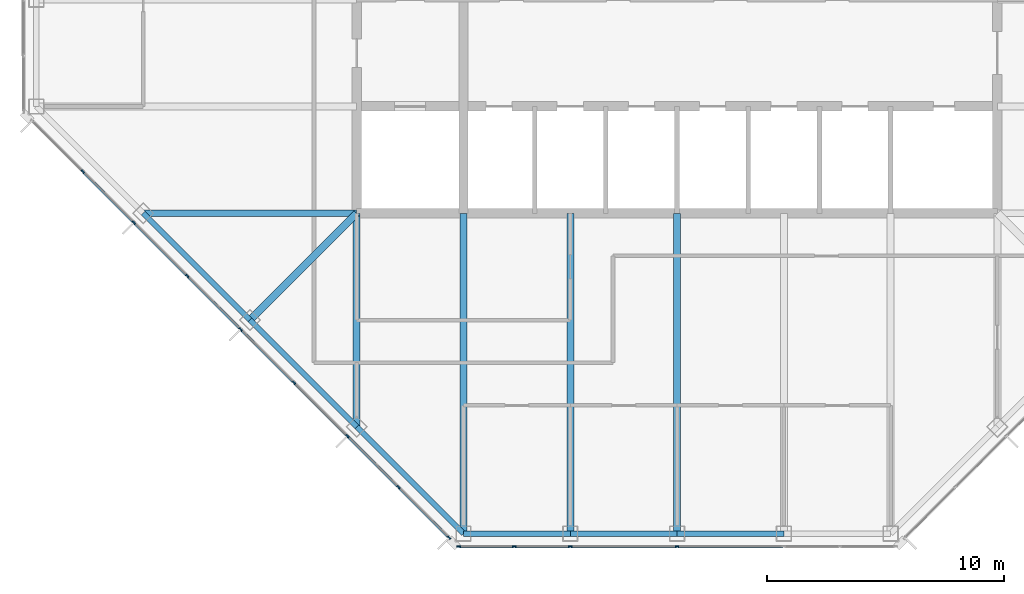
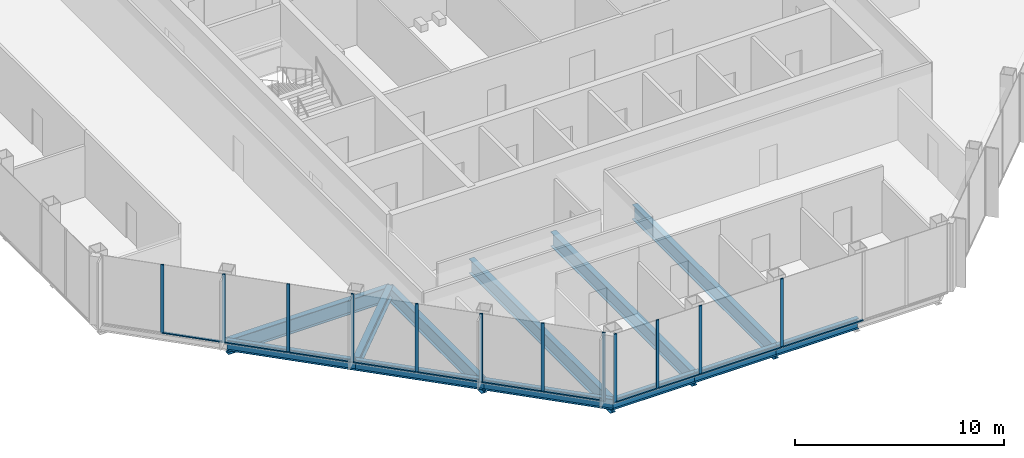
# One storey, part 2 of 13: 23 members, 12 beams, 2 elements without a shape of their own.
"""IFC4 building model written with IfcOpenShell, lengths in metres."""

from ifc_helpers import new_model, si_unit, direction, frame, origin, origin_2d, place, context, subcontext, project, spatial, rectangle, i_section, extrude, material, material_profile, profile_set, type_object, element, aggregate, save


model = new_model("IFC4")

# Units and contexts
model_context = context("Model", 3, precision=1e-05, world=origin(), true_north=direction((0.0, 1.0)))
body_context = subcontext(model_context, "Body", "Model", "MODEL_VIEW")
ifc_project = project(units=[si_unit("LENGTHUNIT", "METRE"), si_unit("AREAUNIT", "SQUARE_METRE"), si_unit("VOLUMEUNIT", "CUBIC_METRE"), si_unit("PLANEANGLEUNIT", "RADIAN"), si_unit("MASSUNIT", "GRAM", prefix="KILO")], contexts=[model_context])

# Site, building, storey
site_placement = place(None, origin())
site = spatial("IfcSite", under=ifc_project, at=site_placement, CompositionType="ELEMENT")
building_placement = place(site_placement, origin())
building = spatial("IfcBuilding", under=site, at=building_placement, Name="Corais Broadcast Tower", CompositionType="ELEMENT")
storey_placement = place(building_placement, frame((0.0, 0.0, 222.60009765625)))
storey = spatial("IfcBuildingStorey", under=building, at=storey_placement, Name="L51", CompositionType="ELEMENT", Elevation=222.60009765625)

# Beams
ifc_material_1 = material(Name="Steel ASTM A572 Grade 50", Category="steel")
ifc_material_profile_1 = material_profile(ifc_material_1, i_section(OverallWidth=0.323974609375, OverallDepth=0.611083984375, WebThickness=0.0126953125, FlangeThickness=0.01904296875, at=origin_2d()), Name="W610x155")
ifc_profile_set_1 = profile_set([ifc_material_profile_1], Name="Steel ASTM A572 Grade 50")
beam_type_1 = type_object("IfcBeamType", Name="Corner diagonal W610x155", PredefinedType="BEAM", material=ifc_profile_set_1)
beam_1_placement = place(storey_placement, frame((9.0, 9.0, -0.465576171875), z_axis=(0.707106781187, 0.707106781187, 0.0), x_axis=(-0.707106781187, 0.707106781187, 0.0)))
element("IfcBeam", 1, at=beam_1_placement, inside=storey, type_object=beam_type_1, Name="B6 C/5 to D/6", PredefinedType="BEAM", context=body_context, shape_type="SweptSolid", body=[
    extrude(i_section(OverallWidth=0.323974609375, OverallDepth=0.611083984375, WebThickness=0.0126953125, FlangeThickness=0.01904296875, at=origin_2d()), origin(), (0.0, 0.0, 1.0), 6.364013671875),
])
ifc_material_2 = material(Name="Steel ASTM A572 Grade 50", Category="steel")
ifc_material_profile_2 = material_profile(ifc_material_2, i_section(OverallWidth=0.2939453125, OverallDepth=0.85107421875, WebThickness=0.01611328125, FlangeThickness=0.02685546875, at=origin_2d()), Name="W840x226")
ifc_profile_set_2 = profile_set([ifc_material_profile_2], Name="Steel ASTM A572 Grade 50")
beam_type_2 = type_object("IfcBeamType", Name="Floor beam W840x226", PredefinedType="BEAM", material=ifc_profile_set_2)
beam_2_placement = place(storey_placement, frame((13.5, 4.5, -0.585693359375), z_axis=(0.0, 1.0, 0.0), x_axis=(-1.0, 0.0, 0.0)))
element("IfcBeam", 2, at=beam_2_placement, inside=storey, type_object=beam_type_2, Name="B1 B/6 to D/6", PredefinedType="BEAM", context=body_context, shape_type="SweptSolid", body=[
    extrude(i_section(OverallWidth=0.2939453125, OverallDepth=0.85107421875, WebThickness=0.01611328125, FlangeThickness=0.02685546875, at=origin_2d()), origin(), (0.0, 0.0, 1.0), 9.0),
])
for number, where, z_axis, x_axis, name in (
    (3, (18.0, 0.0, -0.585693359375), (0.0, 1.0, 0.0), (-1.0, 0.0, 0.0), "B1 A/7 to D/7"),
    (4, (22.5, 0.0, -0.585693359375), (0.0, 1.0, 0.0), (-1.0, 0.0, 0.0), "B1 A/8 to D/8"),
    (5, (27.0, 0.0, -0.585693359375), (0.0, 1.0, 0.0), (-1.0, 0.0, 0.0), "B1 A/9 to D/9"),
):
    element("IfcBeam", number, at=place(storey_placement, frame(where, z_axis=z_axis, x_axis=x_axis)), inside=storey, type_object=beam_type_2, Name=name, PredefinedType="BEAM", context=body_context, shape_type="SweptSolid", body=[
        extrude(i_section(OverallWidth=0.2939453125, OverallDepth=0.85107421875, WebThickness=0.01611328125, FlangeThickness=0.02685546875, at=origin_2d()), origin(), (0.0, 0.0, 1.0), 13.5),
    ])
beam_3_placement = place(storey_placement, frame((4.5, 13.5, -0.585693359375), z_axis=(1.0, 0.0, 0.0), x_axis=(0.0, 1.0, 0.0)))
element("IfcBeam", 6, at=beam_3_placement, inside=storey, type_object=beam_type_2, Name="B1 D/4 to D/6", PredefinedType="BEAM", context=body_context, shape_type="SweptSolid", body=[
    extrude(i_section(OverallWidth=0.2939453125, OverallDepth=0.85107421875, WebThickness=0.01611328125, FlangeThickness=0.02685546875, at=origin_2d()), origin(), (0.0, 0.0, 1.0), 9.0),
])

# Curtain wall, members
ifc_material_3 = material(Name="Aluminium and glass", Category="aluminium")
curtain_wall_type = type_object("IfcCurtainWallType", Name="Unitised fritted curtain wall CW3", PredefinedType="NOTDEFINED", material=ifc_material_3)
curtain_wall_1_placement = place(storey_placement, origin())
curtain_wall_1 = element("IfcCurtainWall", 7, at=curtain_wall_1_placement, inside=storey, type_object=curtain_wall_type, Name="CW3 curtain wall L51 1", PredefinedType="NOTDEFINED")
ifc_material_4 = material(Name="Aluminium 6063-T6", Category="aluminium")
ifc_material_profile_3 = material_profile(ifc_material_4, rectangle(XDim=0.06494140625, YDim=0.159912109375, at=origin_2d()), Name="Mullion CW3 65x160")
ifc_profile_set_3 = profile_set([ifc_material_profile_3], Name="Aluminium 6063-T6")
member_type_1 = type_object("IfcMemberType", Name="Mullion CW3 65x160", PredefinedType="MULLION", material=ifc_profile_set_3)
member_1_placement = place(storey_placement, frame((17.3955078125, -0.17333984375, 0.0), z_axis=(0.0, 0.0, 1.0), x_axis=(-0.707106781187, -0.707106781187, 0.0)))
member_1 = element("IfcMember", 8, at=member_1_placement, type_object=member_type_1, Name="CW3 mullion 1", PredefinedType="MULLION", context=body_context, shape_type="SweptSolid", body=[
    extrude(rectangle(XDim=0.06494140625, YDim=0.159912109375, at=origin_2d()), origin(), (0.0, 0.0, 1.0), 4.0),
])
member_2_placement = place(storey_placement, frame((15.264892578125, 1.957275390625, 0.0), z_axis=(0.0, 0.0, 1.0), x_axis=(-0.707106781187, -0.707106781187, 0.0)))
member_2 = element("IfcMember", 9, at=member_2_placement, type_object=member_type_1, Name="CW3 mullion 2", PredefinedType="MULLION", context=body_context, shape_type="SweptSolid", body=[
    extrude(rectangle(XDim=0.06494140625, YDim=0.159912109375, at=origin_2d()), origin(), (0.0, 0.0, 1.0), 4.0),
])
member_3_placement = place(storey_placement, frame((13.111083984375, 4.111083984375, 0.0), z_axis=(0.0, 0.0, 1.0), x_axis=(-0.707106781187, -0.707106781187, 0.0)))
member_3 = element("IfcMember", 10, at=member_3_placement, type_object=member_type_1, Name="CW3 mullion 3", PredefinedType="MULLION", context=body_context, shape_type="SweptSolid", body=[
    extrude(rectangle(XDim=0.06494140625, YDim=0.159912109375, at=origin_2d()), origin(), (0.0, 0.0, 1.0), 4.0),
])
member_4_placement = place(storey_placement, frame((10.861083984375, 6.361083984375, 0.0), z_axis=(0.0, 0.0, 1.0), x_axis=(-0.707106781187, -0.707106781187, 0.0)))
member_4 = element("IfcMember", 11, at=member_4_placement, type_object=member_type_1, Name="CW3 mullion 4", PredefinedType="MULLION", context=body_context, shape_type="SweptSolid", body=[
    extrude(rectangle(XDim=0.06494140625, YDim=0.159912109375, at=origin_2d()), origin(), (0.0, 0.0, 1.0), 4.0),
])
member_5_placement = place(storey_placement, frame((8.611083984375, 8.611083984375, 0.0), z_axis=(0.0, 0.0, 1.0), x_axis=(-0.707106781187, -0.707106781187, 0.0)))
member_5 = element("IfcMember", 12, at=member_5_placement, type_object=member_type_1, Name="CW3 mullion 5", PredefinedType="MULLION", context=body_context, shape_type="SweptSolid", body=[
    extrude(rectangle(XDim=0.06494140625, YDim=0.159912109375, at=origin_2d()), origin(), (0.0, 0.0, 1.0), 4.0),
])
member_6_placement = place(storey_placement, frame((6.361083984375, 10.861083984375, 0.0), z_axis=(0.0, 0.0, 1.0), x_axis=(-0.707106781187, -0.707106781187, 0.0)))
member_6 = element("IfcMember", 13, at=member_6_placement, type_object=member_type_1, Name="CW3 mullion 6", PredefinedType="MULLION", context=body_context, shape_type="SweptSolid", body=[
    extrude(rectangle(XDim=0.06494140625, YDim=0.159912109375, at=origin_2d()), origin(), (0.0, 0.0, 1.0), 4.0),
])
member_7_placement = place(storey_placement, frame((4.111083984375, 13.111083984375, 0.0), z_axis=(0.0, 0.0, 1.0), x_axis=(-0.707106781187, -0.707106781187, 0.0)))
member_7 = element("IfcMember", 14, at=member_7_placement, type_object=member_type_1, Name="CW3 mullion 7", PredefinedType="MULLION", context=body_context, shape_type="SweptSolid", body=[
    extrude(rectangle(XDim=0.06494140625, YDim=0.159912109375, at=origin_2d()), origin(), (0.0, 0.0, 1.0), 4.0),
])
member_8_placement = place(storey_placement, frame((1.957275390625, 15.264892578125, 0.0), z_axis=(0.0, 0.0, 1.0), x_axis=(-0.707106781187, -0.707106781187, 0.0)))
member_8 = element("IfcMember", 15, at=member_8_placement, type_object=member_type_1, Name="CW3 mullion 8", PredefinedType="MULLION", context=body_context, shape_type="SweptSolid", body=[
    extrude(rectangle(XDim=0.06494140625, YDim=0.159912109375, at=origin_2d()), origin(), (0.0, 0.0, 1.0), 4.0),
])

curtain_wall_2_placement = place(storey_placement, origin())
curtain_wall_2 = element("IfcCurtainWall", 16, at=curtain_wall_2_placement, inside=storey, type_object=curtain_wall_type, Name="CW3 curtain wall L51 8", PredefinedType="NOTDEFINED")
member_9_placement = place(storey_placement, frame((27.0, -0.550048828125, 0.0), z_axis=(0.0, 0.0, 1.0), x_axis=(0.0, -1.0, 0.0)))
member_9 = element("IfcMember", 17, at=member_9_placement, type_object=member_type_1, Name="CW3 mullion 4", PredefinedType="MULLION", context=body_context, shape_type="SweptSolid", body=[
    extrude(rectangle(XDim=0.06494140625, YDim=0.159912109375, at=origin_2d()), origin(), (0.0, 0.0, 1.0), 4.0),
])
member_10_placement = place(storey_placement, frame((22.5, -0.550048828125, 0.0), z_axis=(0.0, 0.0, 1.0), x_axis=(0.0, -1.0, 0.0)))
member_10 = element("IfcMember", 18, at=member_10_placement, type_object=member_type_1, Name="CW3 mullion 5", PredefinedType="MULLION", context=body_context, shape_type="SweptSolid", body=[
    extrude(rectangle(XDim=0.06494140625, YDim=0.159912109375, at=origin_2d()), origin(), (0.0, 0.0, 1.0), 4.0),
])
member_11_placement = place(storey_placement, frame((20.135986328125, -0.550048828125, 0.0), z_axis=(0.0, 0.0, 1.0), x_axis=(0.0, -1.0, 0.0)))
member_11 = element("IfcMember", 19, at=member_11_placement, type_object=member_type_1, Name="CW3 mullion 6", PredefinedType="MULLION", context=body_context, shape_type="SweptSolid", body=[
    extrude(rectangle(XDim=0.06494140625, YDim=0.159912109375, at=origin_2d()), origin(), (0.0, 0.0, 1.0), 4.0),
])
member_12_placement = place(storey_placement, frame((17.8046875, -0.550048828125, 0.0), z_axis=(0.0, 0.0, 1.0), x_axis=(0.0, -1.0, 0.0)))
member_12 = element("IfcMember", 20, at=member_12_placement, type_object=member_type_1, Name="CW3 mullion 7", PredefinedType="MULLION", context=body_context, shape_type="SweptSolid", body=[
    extrude(rectangle(XDim=0.06494140625, YDim=0.159912109375, at=origin_2d()), origin(), (0.0, 0.0, 1.0), 4.0),
])

# Beams
ifc_material_5 = material(Name="Steel ASTM A572 Grade 50", Category="steel")
ifc_material_profile_4 = material_profile(ifc_material_5, i_section(OverallWidth=0.22998046875, OverallDepth=0.616943359375, WebThickness=0.01318359375, FlangeThickness=0.022216796875, at=origin_2d()), Name="W610x140")
ifc_profile_set_4 = profile_set([ifc_material_profile_4], Name="Steel ASTM A572 Grade 50")
beam_type_3 = type_object("IfcBeamType", Name="Spandrel W610x140", PredefinedType="BEAM", material=ifc_profile_set_4)
beam_4_placement = place(storey_placement, frame((13.5, 4.5, -0.468505859375), z_axis=(0.707106781187, -0.707106781187, 0.0), x_axis=(0.707106781187, 0.707106781187, 0.0)))
element("IfcBeam", 21, at=beam_4_placement, inside=storey, type_object=beam_type_3, Name="SB3 B/6 to A/7", PredefinedType="BEAM", context=body_context, shape_type="SweptSolid", body=[
    extrude(i_section(OverallWidth=0.22998046875, OverallDepth=0.616943359375, WebThickness=0.01318359375, FlangeThickness=0.022216796875, at=origin_2d()), origin(), (0.0, 0.0, 1.0), 6.364013671875),
])
for number, where, z_axis, x_axis, name in (
    (22, (18.0, 0.0, -0.468505859375), (1.0, 0.0, 0.0), (0.0, 1.0, 0.0), "SB3 A/7 to A/8"),
    (23, (22.5, 0.0, -0.468505859375), (1.0, 0.0, 0.0), (0.0, 1.0, 0.0), "SB3 A/8 to A/9"),
    (24, (27.0, 0.0, -0.468505859375), (1.0, 0.0, 0.0), (0.0, 1.0, 0.0), "SB3 A/9 to A/10"),
):
    element("IfcBeam", number, at=place(storey_placement, frame(where, z_axis=z_axis, x_axis=x_axis)), inside=storey, type_object=beam_type_3, Name=name, PredefinedType="BEAM", context=body_context, shape_type="SweptSolid", body=[
        extrude(i_section(OverallWidth=0.22998046875, OverallDepth=0.616943359375, WebThickness=0.01318359375, FlangeThickness=0.022216796875, at=origin_2d()), origin(), (0.0, 0.0, 1.0), 4.5),
    ])
for number, where, z_axis, x_axis, name in (
    (25, (4.5, 13.5, -0.468505859375), (0.707106781187, -0.707106781187, 0.0), (0.707106781187, 0.707106781187, 0.0), "SB3 D/4 to C/5"),
    (26, (9.0, 9.0, -0.468505859375), (0.707106781187, -0.707106781187, 0.0), (0.707106781187, 0.707106781187, 0.0), "SB3 C/5 to B/6"),
):
    element("IfcBeam", number, at=place(storey_placement, frame(where, z_axis=z_axis, x_axis=x_axis)), inside=storey, type_object=beam_type_3, Name=name, PredefinedType="BEAM", context=body_context, shape_type="SweptSolid", body=[
        extrude(i_section(OverallWidth=0.22998046875, OverallDepth=0.616943359375, WebThickness=0.01318359375, FlangeThickness=0.022216796875, at=origin_2d()), origin(), (0.0, 0.0, 1.0), 6.364013671875),
    ])

# Member
ifc_material_6 = material(Name="Aluminium 6063-T6", Category="aluminium")
ifc_material_profile_5 = material_profile(ifc_material_6, rectangle(XDim=0.1201171875, YDim=0.06494140625, at=origin_2d()), Name="Transom CW3 65x120")
ifc_profile_set_5 = profile_set([ifc_material_profile_5], Name="Aluminium 6063-T6")
member_type_2 = type_object("IfcMemberType", Name="Transom CW3 65x120", PredefinedType="USERDEFINED", material=ifc_profile_set_5)
member_13_placement = place(storey_placement, frame((17.37255859375, -0.150390625, 0.032470703125), z_axis=(-0.707106781187, 0.707106781187, 0.0), x_axis=(-0.707106781187, -0.707106781187, 0.0)))
member_13 = element("IfcMember", 27, at=member_13_placement, type_object=member_type_2, Name="CW3 transom 1.1", ObjectType="TRANSOM", PredefinedType="USERDEFINED", context=body_context, shape_type="SweptSolid", body=[
    extrude(rectangle(XDim=0.1201171875, YDim=0.06494140625, at=origin_2d()), origin(), (0.0, 0.0, 1.0), 2.9482421875),
])

member_14_placement = place(storey_placement, frame((15.241943359375, 1.980224609375, 0.032470703125), z_axis=(-0.707106781187, 0.707106781187, 0.0), x_axis=(-0.707106781187, -0.707106781187, 0.0)))
member_14 = element("IfcMember", 28, at=member_14_placement, type_object=member_type_2, Name="CW3 transom 2.1", ObjectType="TRANSOM", PredefinedType="USERDEFINED", context=body_context, shape_type="SweptSolid", body=[
    extrude(rectangle(XDim=0.1201171875, YDim=0.06494140625, at=origin_2d()), origin(), (0.0, 0.0, 1.0), 2.98095703125),
])

member_15_placement = place(storey_placement, frame((13.088134765625, 4.134033203125, 0.032470703125), z_axis=(-0.707106781187, 0.707106781187, 0.0), x_axis=(-0.707106781187, -0.707106781187, 0.0)))
member_15 = element("IfcMember", 29, at=member_15_placement, type_object=member_type_2, Name="CW3 transom 3.1", ObjectType="TRANSOM", PredefinedType="USERDEFINED", context=body_context, shape_type="SweptSolid", body=[
    extrude(rectangle(XDim=0.1201171875, YDim=0.06494140625, at=origin_2d()), origin(), (0.0, 0.0, 1.0), 3.1171875),
])

member_16_placement = place(storey_placement, frame((10.838134765625, 6.384033203125, 0.032470703125), z_axis=(-0.707106781187, 0.707106781187, 0.0), x_axis=(-0.707106781187, -0.707106781187, 0.0)))
member_16 = element("IfcMember", 30, at=member_16_placement, type_object=member_type_2, Name="CW3 transom 4.1", ObjectType="TRANSOM", PredefinedType="USERDEFINED", context=body_context, shape_type="SweptSolid", body=[
    extrude(rectangle(XDim=0.1201171875, YDim=0.06494140625, at=origin_2d()), origin(), (0.0, 0.0, 1.0), 3.1171875),
])

member_17_placement = place(storey_placement, frame((8.588134765625, 8.634033203125, 0.032470703125), z_axis=(-0.707106781187, 0.707106781187, 0.0), x_axis=(-0.707106781187, -0.707106781187, 0.0)))
member_17 = element("IfcMember", 31, at=member_17_placement, type_object=member_type_2, Name="CW3 transom 5.1", ObjectType="TRANSOM", PredefinedType="USERDEFINED", context=body_context, shape_type="SweptSolid", body=[
    extrude(rectangle(XDim=0.1201171875, YDim=0.06494140625, at=origin_2d()), origin(), (0.0, 0.0, 1.0), 3.1171875),
])

member_18_placement = place(storey_placement, frame((6.338134765625, 10.884033203125, 0.032470703125), z_axis=(-0.707106781187, 0.707106781187, 0.0), x_axis=(-0.707106781187, -0.707106781187, 0.0)))
member_18 = element("IfcMember", 32, at=member_18_placement, type_object=member_type_2, Name="CW3 transom 6.1", ObjectType="TRANSOM", PredefinedType="USERDEFINED", context=body_context, shape_type="SweptSolid", body=[
    extrude(rectangle(XDim=0.1201171875, YDim=0.06494140625, at=origin_2d()), origin(), (0.0, 0.0, 1.0), 3.1171875),
])

member_19_placement = place(storey_placement, frame((4.088134765625, 13.134033203125, 0.032470703125), z_axis=(-0.707065828661, 0.70714773134, 0.0), x_axis=(-0.70714773134, -0.707065828661, 0.0)))
member_19 = element("IfcMember", 33, at=member_19_placement, type_object=member_type_2, Name="CW3 transom 7.1", ObjectType="TRANSOM", PredefinedType="USERDEFINED", context=body_context, shape_type="SweptSolid", body=[
    extrude(rectangle(XDim=0.1201171875, YDim=0.06494140625, at=origin_2d()), origin(), (0.0, 0.0, 1.0), 2.98095703125),
])

aggregate(curtain_wall_1, [member_1, member_2, member_3, member_4, member_5, member_6, member_7, member_8, member_13, member_14, member_15, member_16, member_17, member_18, member_19])

member_20_placement = place(storey_placement, frame((31.467529296875, -0.550048828125, 0.032470703125), z_axis=(-1.0, 0.0, 0.0), x_axis=(0.0, -1.0, 0.0)))
member_20 = element("IfcMember", 34, at=member_20_placement, type_object=member_type_2, Name="CW3 transom 3.1", ObjectType="TRANSOM", PredefinedType="USERDEFINED", context=body_context, shape_type="SweptSolid", body=[
    extrude(rectangle(XDim=0.1201171875, YDim=0.06494140625, at=origin_2d()), origin(), (0.0, 0.0, 1.0), 4.43505859375),
])

member_21_placement = place(storey_placement, frame((26.967529296875, -0.550048828125, 0.032470703125), z_axis=(-1.0, 0.0, 0.0), x_axis=(0.0, -1.0, 0.0)))
member_21 = element("IfcMember", 35, at=member_21_placement, type_object=member_type_2, Name="CW3 transom 4.1", ObjectType="TRANSOM", PredefinedType="USERDEFINED", context=body_context, shape_type="SweptSolid", body=[
    extrude(rectangle(XDim=0.1201171875, YDim=0.06494140625, at=origin_2d()), origin(), (0.0, 0.0, 1.0), 4.43505859375),
])

member_22_placement = place(storey_placement, frame((22.467529296875, -0.550048828125, 0.032470703125), z_axis=(-1.0, 0.0, 0.0), x_axis=(0.0, -1.0, 0.0)))
member_22 = element("IfcMember", 36, at=member_22_placement, type_object=member_type_2, Name="CW3 transom 5.1", ObjectType="TRANSOM", PredefinedType="USERDEFINED", context=body_context, shape_type="SweptSolid", body=[
    extrude(rectangle(XDim=0.1201171875, YDim=0.06494140625, at=origin_2d()), origin(), (0.0, 0.0, 1.0), 2.298828125),
])

member_23_placement = place(storey_placement, frame((20.103515625, -0.550048828125, 0.032470703125), z_axis=(-1.0, 0.0, 0.0), x_axis=(0.0, -1.0, 0.0)))
member_23 = element("IfcMember", 37, at=member_23_placement, type_object=member_type_2, Name="CW3 transom 6.1", ObjectType="TRANSOM", PredefinedType="USERDEFINED", context=body_context, shape_type="SweptSolid", body=[
    extrude(rectangle(XDim=0.1201171875, YDim=0.06494140625, at=origin_2d()), origin(), (0.0, 0.0, 1.0), 2.266357421875),
])

aggregate(curtain_wall_2, [member_9, member_10, member_11, member_12, member_20, member_21, member_22, member_23])

save(model, "model.ifc")
